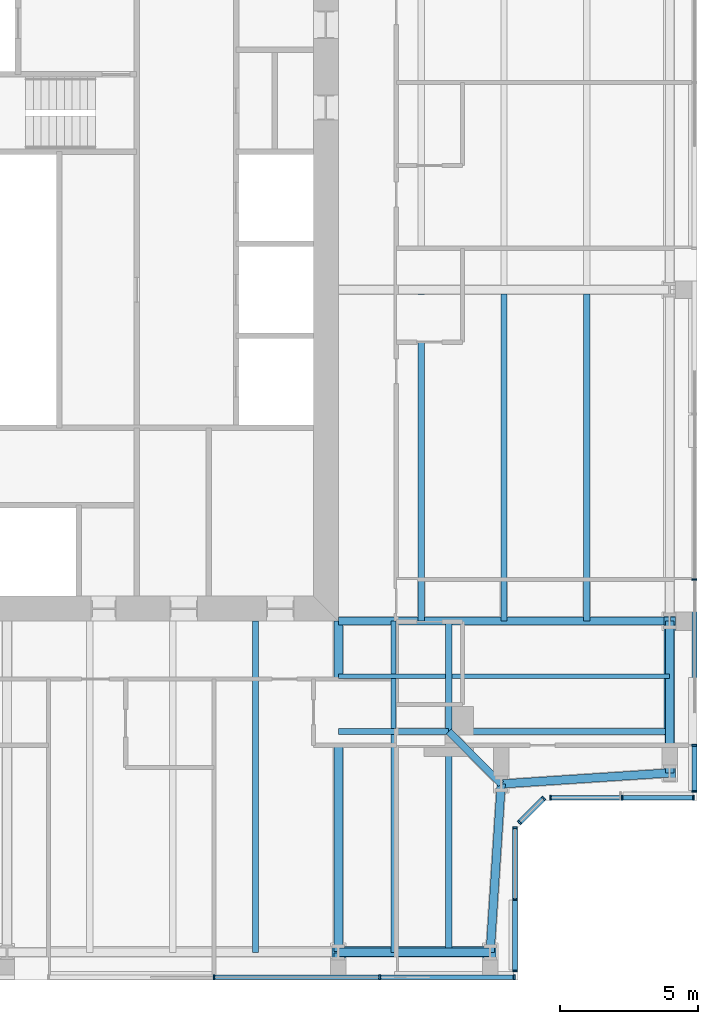
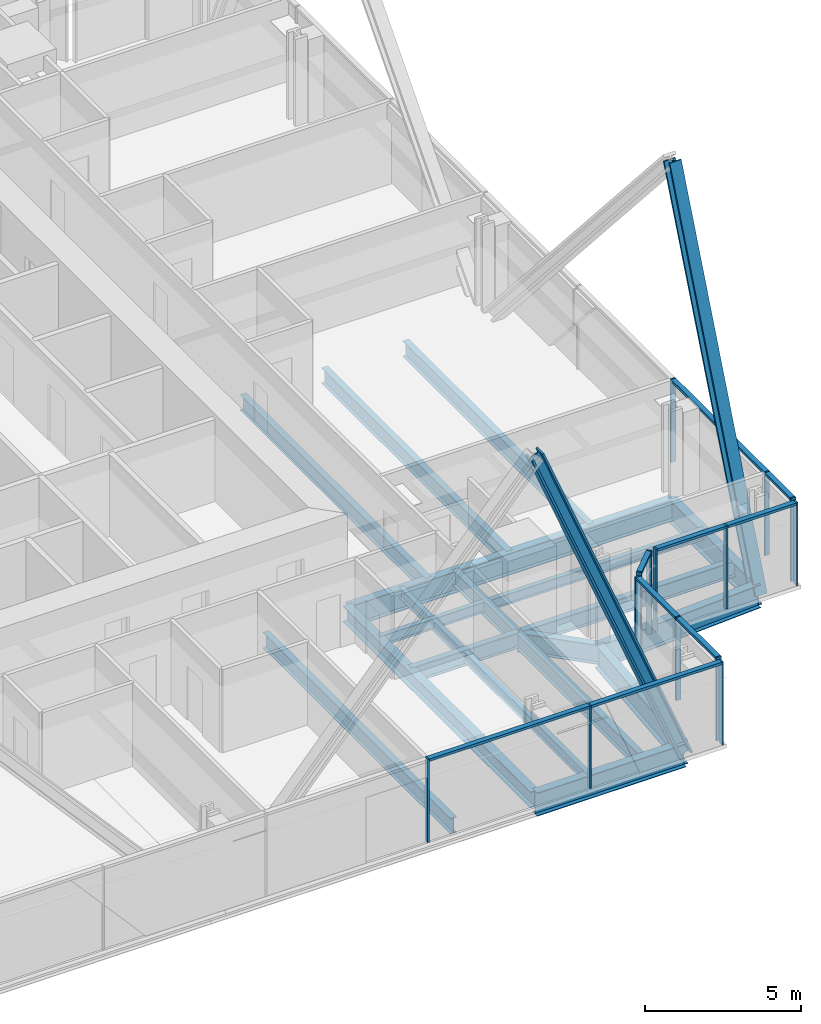
# One storey, part 5 of 20: 25 members, 20 beams, 5 elements without a shape of their own.
"""IFC4 building model written with IfcOpenShell, lengths in metres."""

from ifc_helpers import new_model, si_unit, direction, frame, origin, origin_2d, place, context, subcontext, project, spatial, rectangle, i_section, extrude, material, material_profile, profile_set, type_object, element, aggregate, save


model = new_model("IFC4")

# Units and contexts
model_context = context("Model", 3, precision=1e-05, world=origin(), true_north=direction((0.0, 1.0)))
body_context = subcontext(model_context, "Body", "Model", "MODEL_VIEW")
ifc_project = project(units=[si_unit("LENGTHUNIT", "METRE"), si_unit("AREAUNIT", "SQUARE_METRE"), si_unit("VOLUMEUNIT", "CUBIC_METRE"), si_unit("PLANEANGLEUNIT", "RADIAN"), si_unit("MASSUNIT", "GRAM", prefix="KILO")], contexts=[model_context])

# Site, building, storey
site_placement = place(None, origin())
site = spatial("IfcSite", under=ifc_project, at=site_placement, CompositionType="ELEMENT")
building_placement = place(site_placement, origin())
building = spatial("IfcBuilding", under=site, at=building_placement, Name="Fenwick Lantern Interchange", CompositionType="ELEMENT")
storey_placement = place(building_placement, frame((0.0, 0.0, 256.0)))
storey = spatial("IfcBuildingStorey", under=building, at=storey_placement, Name="L60", CompositionType="ELEMENT", Elevation=256.0)

# Beams
ifc_material_1 = material(Name="Steel ASTM A992 Grade 50", Category="steel")
ifc_material_profile_1 = material_profile(ifc_material_1, i_section(OverallWidth=0.3046875, OverallDepth=0.911865234375, WebThickness=0.015869140625, FlangeThickness=0.02392578125, at=origin_2d()), Name="W36X150")
ifc_profile_set_1 = profile_set([ifc_material_profile_1], Name="Steel ASTM A992 Grade 50")
beam_type_1 = type_object("IfcBeamType", Name="EDGE BEAM W36X150", PredefinedType="SPANDREL", material=ifc_profile_set_1)
beam_1_placement = place(storey_placement, frame((37.0, 1.0, -0.60595703125), z_axis=(1.0, 0.0, 0.0), x_axis=(0.0, 1.0, 0.0)))
element("IfcBeam", 1, at=beam_1_placement, inside=storey, type_object=beam_type_1, Name="L60/FR/S/EB4", PredefinedType="SPANDREL", context=body_context, shape_type="SweptSolid", body=[
    extrude(i_section(OverallWidth=0.3046875, OverallDepth=0.911865234375, WebThickness=0.015869140625, FlangeThickness=0.02392578125, at=origin_2d()), origin(), (0.0, 0.0, 1.0), 5.5),
])
for number, where, z_axis, x_axis, name in (
    (2, (42.5, 1.0, -0.60595703125), (0.065416293237, 0.997858060337, 0.0), (-0.997858060337, 0.065416293237, 0.0), "L60/FR/S/EBR1"),
    (3, (42.89990234375, 7.10009765625, -0.60595703125), (0.997858060337, 0.065416293237, 0.0), (-0.065416293237, 0.997858060337, 0.0), "L60/FR/S/EBR2"),
):
    element("IfcBeam", number, at=place(storey_placement, frame(where, z_axis=z_axis, x_axis=x_axis)), inside=storey, type_object=beam_type_1, Name=name, PredefinedType="SPANDREL", context=body_context, shape_type="SweptSolid", body=[
        extrude(i_section(OverallWidth=0.3046875, OverallDepth=0.911865234375, WebThickness=0.015869140625, FlangeThickness=0.02392578125, at=origin_2d()), origin(), (0.0, 0.0, 1.0), 6.11328125),
    ])
beam_2_placement = place(storey_placement, frame((49.0, 7.5, -0.60595703125), z_axis=(0.0, 1.0, 0.0), x_axis=(-1.0, 0.0, 0.0)))
element("IfcBeam", 4, at=beam_2_placement, inside=storey, type_object=beam_type_1, Name="L60/FR/E/EB1", PredefinedType="SPANDREL", context=body_context, shape_type="SweptSolid", body=[
    extrude(i_section(OverallWidth=0.3046875, OverallDepth=0.911865234375, WebThickness=0.015869140625, FlangeThickness=0.02392578125, at=origin_2d()), origin(), (0.0, 0.0, 1.0), 5.5),
])

# Members
ifc_material_profile_2 = material_profile(ifc_material_1, i_section(OverallWidth=0.424072265625, OverallDepth=0.47509765625, WebThickness=0.0478515625, FlangeThickness=0.0771484375, at=origin_2d()), Name="W14X426")
ifc_profile_set_2 = profile_set([ifc_material_profile_2], Name="Steel ASTM A992 Grade 50")
member_type_1 = type_object("IfcMemberType", Name="FACADE BRACE W14X426", PredefinedType="BRACE", material=ifc_profile_set_2)
for number, where, z_axis, x_axis, name in (
    (5, (42.5, 1.0, -0.60595703125), (-0.374911520251, 0.0, 0.927060597794), (0.0, -1.0, 0.0), "L60/FB/S/BE"),
    (6, (49.0, 7.5, -0.60595703125), (0.0, 0.374911520251, 0.927060597794), (-1.0, 0.0, 0.0), "L60/FB/E/AE"),
):
    element("IfcMember", number, at=place(storey_placement, frame(where, z_axis=z_axis, x_axis=x_axis)), inside=storey, type_object=member_type_1, Name=name, PredefinedType="BRACE", context=body_context, shape_type="SweptSolid", body=[
        extrude(i_section(OverallWidth=0.424072265625, OverallDepth=0.47509765625, WebThickness=0.0478515625, FlangeThickness=0.0771484375, at=origin_2d()), origin(), (0.0, 0.0, 1.0), 14.670166015625),
    ])

# Beams
ifc_material_profile_3 = material_profile(ifc_material_1, i_section(OverallWidth=0.22900390625, OverallDepth=0.612060546875, WebThickness=0.011962890625, FlangeThickness=0.01953125, at=origin_2d()), Name="W24X84")
ifc_profile_set_3 = profile_set([ifc_material_profile_3], Name="Steel ASTM A992 Grade 50")
beam_type_2 = type_object("IfcBeamType", Name="FLOOR BEAM W24X84", PredefinedType="BEAM", material=ifc_profile_set_3)
beam_3_placement = place(storey_placement, frame((34.0, 1.0, -0.4560546875), z_axis=(0.0, 1.0, 0.0), x_axis=(-1.0, 0.0, 0.0)))
element("IfcBeam", 7, at=beam_3_placement, inside=storey, type_object=beam_type_2, Name="L60/FR/S/R08", PredefinedType="BEAM", context=body_context, shape_type="SweptSolid", body=[
    extrude(i_section(OverallWidth=0.22900390625, OverallDepth=0.612060546875, WebThickness=0.011962890625, FlangeThickness=0.01953125, at=origin_2d()), origin(), (0.0, 0.0, 1.0), 12.0),
])
for number, where, z_axis, x_axis, name in (
    (8, (46.0, 13.0, -0.4560546875), (0.0, 1.0, 0.0), (-1.0, 0.0, 0.0), "L60/FR/E/B01"),
    (9, (43.0, 13.0, -0.4560546875), (0.0, 1.0, 0.0), (-1.0, 0.0, 0.0), "L60/FR/E/B02"),
    (10, (40.0, 13.0, -0.4560546875), (0.0, 1.0, 0.0), (-1.0, 0.0, 0.0), "L60/FR/E/B03"),
):
    element("IfcBeam", number, at=place(storey_placement, frame(where, z_axis=z_axis, x_axis=x_axis)), inside=storey, type_object=beam_type_2, Name=name, PredefinedType="BEAM", context=body_context, shape_type="SweptSolid", body=[
        extrude(i_section(OverallWidth=0.22900390625, OverallDepth=0.612060546875, WebThickness=0.011962890625, FlangeThickness=0.01953125, at=origin_2d()), origin(), (0.0, 0.0, 1.0), 11.844970703125),
    ])

# Curtain wall, members
ifc_material_2 = material(Name="Aluminium curtain wall frame", Category="aluminium")
curtain_wall_type = type_object("IfcCurtainWallType", Name="HOTEL CURTAIN WALL", PredefinedType="USERDEFINED", material=ifc_material_2)
curtain_wall_1_placement = place(storey_placement, origin())
curtain_wall_1 = element("IfcCurtainWall", 11, at=curtain_wall_1_placement, inside=storey, type_object=curtain_wall_type, Name="Hotel curtain wall 01", ObjectType="HOTEL CURTAIN WALL", PredefinedType="USERDEFINED")
ifc_material_3 = material(Name="Aluminium extrusion", Category="aluminium")
ifc_material_profile_4 = material_profile(ifc_material_3, rectangle(XDim=0.179931640625, YDim=0.06005859375, at=origin_2d()), Name="HOTEL CURTAIN WALL MULLION 60 X 180")
ifc_profile_set_4 = profile_set([ifc_material_profile_4], Name="Aluminium extrusion")
member_type_2 = type_object("IfcMemberType", Name="HOTEL CURTAIN WALL MULLION 60 X 180", PredefinedType="MULLION", material=ifc_profile_set_4)
member_1_placement = place(storey_placement, frame((32.5, 0.10009765625, 0.0), z_axis=(0.0, 0.0, 1.0), x_axis=(0.0, 1.0, 0.0)))
member_1 = element("IfcMember", 12, at=member_1_placement, type_object=member_type_2, Name="L60/CW/01/M05", PredefinedType="MULLION", context=body_context, shape_type="SweptSolid", body=[
    extrude(rectangle(XDim=0.179931640625, YDim=0.06005859375, at=origin_2d()), origin(), (0.0, 0.0, 1.0), 3.25),
])
member_2_placement = place(storey_placement, frame((38.5, 0.10009765625, 0.0), z_axis=(0.0, 0.0, 1.0), x_axis=(0.0, 1.0, 0.0)))
member_2 = element("IfcMember", 13, at=member_2_placement, type_object=member_type_2, Name="L60/CW/01/M06", PredefinedType="MULLION", context=body_context, shape_type="SweptSolid", body=[
    extrude(rectangle(XDim=0.179931640625, YDim=0.06005859375, at=origin_2d()), origin(), (0.0, 0.0, 1.0), 3.25),
])
member_3_placement = place(storey_placement, frame((43.3701171875, 0.10009765625, 0.0), z_axis=(0.0, 0.0, 1.0), x_axis=(0.0, 1.0, 0.0)))
member_3 = element("IfcMember", 14, at=member_3_placement, type_object=member_type_2, Name="L60/CW/01/M07", PredefinedType="MULLION", context=body_context, shape_type="SweptSolid", body=[
    extrude(rectangle(XDim=0.179931640625, YDim=0.06005859375, at=origin_2d()), origin(), (0.0, 0.0, 1.0), 3.25),
])

curtain_wall_2_placement = place(storey_placement, origin())
curtain_wall_2 = element("IfcCurtainWall", 15, at=curtain_wall_2_placement, inside=storey, type_object=curtain_wall_type, Name="Hotel curtain wall 02", ObjectType="HOTEL CURTAIN WALL", PredefinedType="USERDEFINED")
member_4_placement = place(storey_placement, frame((43.39990234375, 0.330078125, 0.0), z_axis=(0.0, 0.0, 1.0), x_axis=(-1.0, 0.0, 0.0)))
member_4 = element("IfcMember", 16, at=member_4_placement, type_object=member_type_2, Name="L60/CW/02/M00", PredefinedType="MULLION", context=body_context, shape_type="SweptSolid", body=[
    extrude(rectangle(XDim=0.179931640625, YDim=0.06005859375, at=origin_2d()), origin(), (0.0, 0.0, 1.0), 3.25),
])
member_5_placement = place(storey_placement, frame((43.39990234375, 2.920654296875, 0.0), z_axis=(0.0, 0.0, 1.0), x_axis=(-1.0, 0.0, 0.0)))
member_5 = element("IfcMember", 17, at=member_5_placement, type_object=member_type_2, Name="L60/CW/02/M01", PredefinedType="MULLION", context=body_context, shape_type="SweptSolid", body=[
    extrude(rectangle(XDim=0.179931640625, YDim=0.06005859375, at=origin_2d()), origin(), (0.0, 0.0, 1.0), 3.25),
])
member_6_placement = place(storey_placement, frame((43.39990234375, 5.511474609375, 0.0), z_axis=(0.0, 0.0, 1.0), x_axis=(-1.0, 0.0, 0.0)))
member_6 = element("IfcMember", 18, at=member_6_placement, type_object=member_type_2, Name="L60/CW/02/M02", PredefinedType="MULLION", context=body_context, shape_type="SweptSolid", body=[
    extrude(rectangle(XDim=0.179931640625, YDim=0.06005859375, at=origin_2d()), origin(), (0.0, 0.0, 1.0), 3.25),
])

curtain_wall_3_placement = place(storey_placement, origin())
curtain_wall_3 = element("IfcCurtainWall", 19, at=curtain_wall_3_placement, inside=storey, type_object=curtain_wall_type, Name="Hotel curtain wall 03", ObjectType="HOTEL CURTAIN WALL", PredefinedType="USERDEFINED")
member_7_placement = place(storey_placement, frame((43.562744140625, 5.7041015625, 0.0), z_axis=(0.0, 0.0, 1.0), x_axis=(-0.707106781187, 0.707106781187, 0.0)))
member_7 = element("IfcMember", 20, at=member_7_placement, type_object=member_type_2, Name="L60/CW/03/M00", PredefinedType="MULLION", context=body_context, shape_type="SweptSolid", body=[
    extrude(rectangle(XDim=0.179931640625, YDim=0.06005859375, at=origin_2d()), origin(), (0.0, 0.0, 1.0), 3.25),
])
member_8_placement = place(storey_placement, frame((44.437255859375, 6.578857421875, 0.0), z_axis=(0.0, 0.0, 1.0), x_axis=(-0.707106781187, 0.707106781187, 0.0)))
member_8 = element("IfcMember", 21, at=member_8_placement, type_object=member_type_2, Name="L60/CW/03/M01", PredefinedType="MULLION", context=body_context, shape_type="SweptSolid", body=[
    extrude(rectangle(XDim=0.179931640625, YDim=0.06005859375, at=origin_2d()), origin(), (0.0, 0.0, 1.0), 3.25),
])

curtain_wall_4_placement = place(storey_placement, origin())
curtain_wall_4 = element("IfcCurtainWall", 22, at=curtain_wall_4_placement, inside=storey, type_object=curtain_wall_type, Name="Hotel curtain wall 04", ObjectType="HOTEL CURTAIN WALL", PredefinedType="USERDEFINED")
member_9_placement = place(storey_placement, frame((44.6884765625, 6.60009765625, 0.0), z_axis=(0.0, 0.0, 1.0), x_axis=(0.0, 1.0, 0.0)))
member_9 = element("IfcMember", 23, at=member_9_placement, type_object=member_type_2, Name="L60/CW/04/M00", PredefinedType="MULLION", context=body_context, shape_type="SweptSolid", body=[
    extrude(rectangle(XDim=0.179931640625, YDim=0.06005859375, at=origin_2d()), origin(), (0.0, 0.0, 1.0), 3.25),
])
member_10_placement = place(storey_placement, frame((47.279296875, 6.60009765625, 0.0), z_axis=(0.0, 0.0, 1.0), x_axis=(0.0, 1.0, 0.0)))
member_10 = element("IfcMember", 24, at=member_10_placement, type_object=member_type_2, Name="L60/CW/04/M01", PredefinedType="MULLION", context=body_context, shape_type="SweptSolid", body=[
    extrude(rectangle(XDim=0.179931640625, YDim=0.06005859375, at=origin_2d()), origin(), (0.0, 0.0, 1.0), 3.25),
])
member_11_placement = place(storey_placement, frame((49.8701171875, 6.60009765625, 0.0), z_axis=(0.0, 0.0, 1.0), x_axis=(0.0, 1.0, 0.0)))
member_11 = element("IfcMember", 25, at=member_11_placement, type_object=member_type_2, Name="L60/CW/04/M02", PredefinedType="MULLION", context=body_context, shape_type="SweptSolid", body=[
    extrude(rectangle(XDim=0.179931640625, YDim=0.06005859375, at=origin_2d()), origin(), (0.0, 0.0, 1.0), 3.25),
])

curtain_wall_5_placement = place(storey_placement, origin())
curtain_wall_5 = element("IfcCurtainWall", 26, at=curtain_wall_5_placement, inside=storey, type_object=curtain_wall_type, Name="Hotel curtain wall 05", ObjectType="HOTEL CURTAIN WALL", PredefinedType="USERDEFINED")
member_12_placement = place(storey_placement, frame((49.89990234375, 6.830078125, 0.0), z_axis=(0.0, 0.0, 1.0), x_axis=(-1.0, 0.0, 0.0)))
member_12 = element("IfcMember", 27, at=member_12_placement, type_object=member_type_2, Name="L60/CW/05/M00", PredefinedType="MULLION", context=body_context, shape_type="SweptSolid", body=[
    extrude(rectangle(XDim=0.179931640625, YDim=0.06005859375, at=origin_2d()), origin(), (0.0, 0.0, 1.0), 3.25),
])
member_13_placement = place(storey_placement, frame((49.89990234375, 8.5, 0.0), z_axis=(0.0, 0.0, 1.0), x_axis=(-1.0, 0.0, 0.0)))
member_13 = element("IfcMember", 28, at=member_13_placement, type_object=member_type_2, Name="L60/CW/05/M01", PredefinedType="MULLION", context=body_context, shape_type="SweptSolid", body=[
    extrude(rectangle(XDim=0.179931640625, YDim=0.06005859375, at=origin_2d()), origin(), (0.0, 0.0, 1.0), 3.25),
])
member_14_placement = place(storey_placement, frame((49.89990234375, 14.5, 0.0), z_axis=(0.0, 0.0, 1.0), x_axis=(-1.0, 0.0, 0.0)))
member_14 = element("IfcMember", 29, at=member_14_placement, type_object=member_type_2, Name="L60/CW/05/M02", PredefinedType="MULLION", context=body_context, shape_type="SweptSolid", body=[
    extrude(rectangle(XDim=0.179931640625, YDim=0.06005859375, at=origin_2d()), origin(), (0.0, 0.0, 1.0), 3.25),
])

# Member
ifc_material_profile_5 = material_profile(ifc_material_3, rectangle(XDim=0.179931640625, YDim=0.10009765625, at=origin_2d()), Name="HOTEL CURTAIN WALL TRANSOM 100 X 180")
ifc_profile_set_5 = profile_set([ifc_material_profile_5], Name="Aluminium extrusion")
member_type_3 = type_object("IfcMemberType", Name="HOTEL CURTAIN WALL TRANSOM 100 X 180", PredefinedType="MULLION", material=ifc_profile_set_5)
member_15_placement = place(storey_placement, frame((32.530029296875, 0.10009765625, 3.199951171875), z_axis=(1.0, 0.0, 0.0), x_axis=(0.0, 1.0, 0.0)))
member_15 = element("IfcMember", 30, at=member_15_placement, type_object=member_type_3, Name="L60/CW/01/T05", PredefinedType="MULLION", context=body_context, shape_type="SweptSolid", body=[
    extrude(rectangle(XDim=0.179931640625, YDim=0.10009765625, at=origin_2d()), origin(), (0.0, 0.0, 1.0), 5.93994140625),
])

member_16_placement = place(storey_placement, frame((38.530029296875, 0.10009765625, 3.199951171875), z_axis=(1.0, 0.0, 0.0), x_axis=(0.0, 1.0, 0.0)))
member_16 = element("IfcMember", 31, at=member_16_placement, type_object=member_type_3, Name="L60/CW/01/T06", PredefinedType="MULLION", context=body_context, shape_type="SweptSolid", body=[
    extrude(rectangle(XDim=0.179931640625, YDim=0.10009765625, at=origin_2d()), origin(), (0.0, 0.0, 1.0), 4.81005859375),
])

aggregate(curtain_wall_1, [member_1, member_2, member_3, member_15, member_16])

member_17_placement = place(storey_placement, frame((43.39990234375, 0.360107421875, 3.199951171875), z_axis=(0.0, 1.0, 0.0), x_axis=(-1.0, 0.0, 0.0)))
member_17 = element("IfcMember", 32, at=member_17_placement, type_object=member_type_3, Name="L60/CW/02/T00", PredefinedType="MULLION", context=body_context, shape_type="SweptSolid", body=[
    extrude(rectangle(XDim=0.179931640625, YDim=0.10009765625, at=origin_2d()), origin(), (0.0, 0.0, 1.0), 2.530517578125),
])

member_18_placement = place(storey_placement, frame((43.39990234375, 2.95068359375, 3.199951171875), z_axis=(0.0, 1.0, 0.0), x_axis=(-1.0, 0.0, 0.0)))
member_18 = element("IfcMember", 33, at=member_18_placement, type_object=member_type_3, Name="L60/CW/02/T01", PredefinedType="MULLION", context=body_context, shape_type="SweptSolid", body=[
    extrude(rectangle(XDim=0.179931640625, YDim=0.10009765625, at=origin_2d()), origin(), (0.0, 0.0, 1.0), 2.53076171875),
])

aggregate(curtain_wall_2, [member_4, member_5, member_6, member_17, member_18])

member_19_placement = place(storey_placement, frame((43.583740234375, 5.725341796875, 3.199951171875), z_axis=(0.707210470133, 0.707003077033, 0.0), x_axis=(-0.707003077033, 0.707210470133, 0.0)))
member_19 = element("IfcMember", 34, at=member_19_placement, type_object=member_type_3, Name="L60/CW/03/T00", PredefinedType="MULLION", context=body_context, shape_type="SweptSolid", body=[
    extrude(rectangle(XDim=0.179931640625, YDim=0.10009765625, at=origin_2d()), origin(), (0.0, 0.0, 1.0), 1.17724609375),
])

aggregate(curtain_wall_3, [member_7, member_8, member_19])

member_20_placement = place(storey_placement, frame((44.718505859375, 6.60009765625, 3.199951171875), z_axis=(1.0, 0.0, 0.0), x_axis=(0.0, 1.0, 0.0)))
member_20 = element("IfcMember", 35, at=member_20_placement, type_object=member_type_3, Name="L60/CW/04/T00", PredefinedType="MULLION", context=body_context, shape_type="SweptSolid", body=[
    extrude(rectangle(XDim=0.179931640625, YDim=0.10009765625, at=origin_2d()), origin(), (0.0, 0.0, 1.0), 2.53076171875),
])

member_21_placement = place(storey_placement, frame((47.309326171875, 6.60009765625, 3.199951171875), z_axis=(1.0, 0.0, 0.0), x_axis=(0.0, 1.0, 0.0)))
member_21 = element("IfcMember", 36, at=member_21_placement, type_object=member_type_3, Name="L60/CW/04/T01", PredefinedType="MULLION", context=body_context, shape_type="SweptSolid", body=[
    extrude(rectangle(XDim=0.179931640625, YDim=0.10009765625, at=origin_2d()), origin(), (0.0, 0.0, 1.0), 2.53076171875),
])

aggregate(curtain_wall_4, [member_9, member_10, member_11, member_20, member_21])

member_22_placement = place(storey_placement, frame((49.89990234375, 6.860107421875, 3.199951171875), z_axis=(0.0, 1.0, 0.0), x_axis=(-1.0, 0.0, 0.0)))
member_22 = element("IfcMember", 37, at=member_22_placement, type_object=member_type_3, Name="L60/CW/05/T00", PredefinedType="MULLION", context=body_context, shape_type="SweptSolid", body=[
    extrude(rectangle(XDim=0.179931640625, YDim=0.10009765625, at=origin_2d()), origin(), (0.0, 0.0, 1.0), 1.60986328125),
])

member_23_placement = place(storey_placement, frame((49.89990234375, 8.530029296875, 3.199951171875), z_axis=(0.0, 1.0, 0.0), x_axis=(-1.0, 0.0, 0.0)))
member_23 = element("IfcMember", 38, at=member_23_placement, type_object=member_type_3, Name="L60/CW/05/T01", PredefinedType="MULLION", context=body_context, shape_type="SweptSolid", body=[
    extrude(rectangle(XDim=0.179931640625, YDim=0.10009765625, at=origin_2d()), origin(), (0.0, 0.0, 1.0), 5.93994140625),
])

aggregate(curtain_wall_5, [member_12, member_13, member_14, member_22, member_23])

# Beams
ifc_material_profile_6 = material_profile(ifc_material_1, i_section(OverallWidth=0.177734375, OverallDepth=0.406494140625, WebThickness=0.0078125, FlangeThickness=0.012939453125, at=origin_2d()), Name="W16X40")
ifc_profile_set_6 = profile_set([ifc_material_profile_6], Name="Steel ASTM A992 Grade 50")
beam_type_3 = type_object("IfcBeamType", Name="INFILL BEAM W16X40", PredefinedType="JOIST", material=ifc_profile_set_6)
beam_4_placement = place(storey_placement, frame((49.0, 11.0, -0.353271484375), z_axis=(-1.0, 0.0, 0.0), x_axis=(0.0, -1.0, 0.0)))
element("IfcBeam", 39, at=beam_4_placement, inside=storey, type_object=beam_type_3, Name="L60/FR/E/J1", PredefinedType="JOIST", context=body_context, shape_type="SweptSolid", body=[
    extrude(i_section(OverallWidth=0.177734375, OverallDepth=0.406494140625, WebThickness=0.0078125, FlangeThickness=0.012939453125, at=origin_2d()), origin(), (0.0, 0.0, 1.0), 7.885498046875),
])
beam_5_placement = place(storey_placement, frame((40.885498046875, 11.0, -0.353271484375), z_axis=(-1.0, 0.0, 0.0), x_axis=(0.0, -1.0, 0.0)))
element("IfcBeam", 40, at=beam_5_placement, inside=storey, type_object=beam_type_3, Name="L60/FR/E/J2", PredefinedType="JOIST", context=body_context, shape_type="SweptSolid", body=[
    extrude(i_section(OverallWidth=0.177734375, OverallDepth=0.406494140625, WebThickness=0.0078125, FlangeThickness=0.012939453125, at=origin_2d()), origin(), (0.0, 0.0, 1.0), 3.885498046875),
])
beam_6_placement = place(storey_placement, frame((39.0, 1.0, -0.353271484375), z_axis=(0.0, 1.0, 0.0), x_axis=(-1.0, 0.0, 0.0)))
element("IfcBeam", 41, at=beam_6_placement, inside=storey, type_object=beam_type_3, Name="L60/FR/E/J3", PredefinedType="JOIST", context=body_context, shape_type="SweptSolid", body=[
    extrude(i_section(OverallWidth=0.177734375, OverallDepth=0.406494140625, WebThickness=0.0078125, FlangeThickness=0.012939453125, at=origin_2d()), origin(), (0.0, 0.0, 1.0), 7.885498046875),
])
beam_7_placement = place(storey_placement, frame((39.0, 9.114501953125, -0.353271484375), z_axis=(0.0, 1.0, 0.0), x_axis=(-1.0, 0.0, 0.0)))
element("IfcBeam", 42, at=beam_7_placement, inside=storey, type_object=beam_type_3, Name="L60/FR/E/J4", PredefinedType="JOIST", context=body_context, shape_type="SweptSolid", body=[
    extrude(i_section(OverallWidth=0.177734375, OverallDepth=0.406494140625, WebThickness=0.0078125, FlangeThickness=0.012939453125, at=origin_2d()), origin(), (0.0, 0.0, 1.0), 1.796630859375),
])
beam_8_placement = place(storey_placement, frame((39.0, 11.0888671875, -0.353271484375), z_axis=(0.0, 1.0, 0.0), x_axis=(-1.0, 0.0, 0.0)))
element("IfcBeam", 43, at=beam_8_placement, inside=storey, type_object=beam_type_3, Name="L60/FR/E/J5", PredefinedType="JOIST", context=body_context, shape_type="SweptSolid", body=[
    extrude(i_section(OverallWidth=0.177734375, OverallDepth=0.406494140625, WebThickness=0.0078125, FlangeThickness=0.012939453125, at=origin_2d()), origin(), (0.0, 0.0, 1.0), 1.9111328125),
])
ifc_material_profile_7 = material_profile(ifc_material_1, i_section(OverallWidth=0.22900390625, OverallDepth=0.612060546875, WebThickness=0.011962890625, FlangeThickness=0.01953125, at=origin_2d()), Name="W24X84")
ifc_profile_set_7 = profile_set([ifc_material_profile_7], Name="Steel ASTM A992 Grade 50")
beam_type_4 = type_object("IfcBeamType", Name="MEGA COLUMN BEAM W24X84", PredefinedType="BEAM", material=ifc_profile_set_7)
for number, where, z_axis, x_axis, name in (
    (44, (41.0, 9.0, -0.4560546875), (1.0, 0.0, 0.0), (0.0, 1.0, 0.0), "L60/FR/E/MB1"),
    (45, (41.0, 9.0, -0.4560546875), (0.0, -1.0, 0.0), (1.0, 0.0, 0.0), "L60/FR/E/MB2"),
):
    element("IfcBeam", number, at=place(storey_placement, frame(where, z_axis=z_axis, x_axis=x_axis)), inside=storey, type_object=beam_type_4, Name=name, PredefinedType="BEAM", context=body_context, shape_type="SweptSolid", body=[
        extrude(i_section(OverallWidth=0.22900390625, OverallDepth=0.612060546875, WebThickness=0.011962890625, FlangeThickness=0.01953125, at=origin_2d()), origin(), (0.0, 0.0, 1.0), 8.0),
    ])
for number, where, z_axis, x_axis, name in (
    (46, (41.0, 9.0, -0.4560546875), (0.0, 1.0, 0.0), (-1.0, 0.0, 0.0), "L60/FR/E/MB3"),
    (47, (41.0, 9.0, -0.4560546875), (-1.0, 0.0, 0.0), (0.0, -1.0, 0.0), "L60/FR/E/MB4"),
):
    element("IfcBeam", number, at=place(storey_placement, frame(where, z_axis=z_axis, x_axis=x_axis)), inside=storey, type_object=beam_type_4, Name=name, PredefinedType="BEAM", context=body_context, shape_type="SweptSolid", body=[
        extrude(i_section(OverallWidth=0.22900390625, OverallDepth=0.612060546875, WebThickness=0.011962890625, FlangeThickness=0.01953125, at=origin_2d()), origin(), (0.0, 0.0, 1.0), 4.0),
    ])
ifc_material_profile_8 = material_profile(ifc_material_1, i_section(OverallWidth=0.32763671875, OverallDepth=0.622314453125, WebThickness=0.015380859375, FlangeThickness=0.0244140625, at=origin_2d()), Name="W24X131")
ifc_profile_set_8 = profile_set([ifc_material_profile_8], Name="Steel ASTM A992 Grade 50")
beam_type_5 = type_object("IfcBeamType", Name="MOMENT-CONNECTED GIRDER W24X131", PredefinedType="BEAM", material=ifc_profile_set_8)
beam_9_placement = place(storey_placement, frame((37.0, 1.0, -0.461181640625), z_axis=(0.0, 1.0, 0.0), x_axis=(-1.0, 0.0, 0.0)))
element("IfcBeam", 48, at=beam_9_placement, inside=storey, type_object=beam_type_5, Name="L60/FR/S/R09", PredefinedType="BEAM", context=body_context, shape_type="SweptSolid", body=[
    extrude(i_section(OverallWidth=0.32763671875, OverallDepth=0.622314453125, WebThickness=0.015380859375, FlangeThickness=0.0244140625, at=origin_2d()), origin(), (0.0, 0.0, 1.0), 12.0),
])
ifc_material_profile_9 = material_profile(ifc_material_1, i_section(OverallWidth=0.2919921875, OverallDepth=0.845703125, WebThickness=0.015380859375, FlangeThickness=0.0244140625, at=origin_2d()), Name="W33X141")
ifc_profile_set_9 = profile_set([ifc_material_profile_9], Name="Steel ASTM A992 Grade 50")
beam_type_6 = type_object("IfcBeamType", Name="MOMENT-CONNECTED GIRDER W33X141", PredefinedType="BEAM", material=ifc_profile_set_9)
beam_10_placement = place(storey_placement, frame((49.0, 13.0, -0.572998046875), z_axis=(-1.0, 0.0, 0.0), x_axis=(0.0, -1.0, 0.0)))
element("IfcBeam", 49, at=beam_10_placement, inside=storey, type_object=beam_type_6, Name="L60/FR/E/R01", PredefinedType="BEAM", context=body_context, shape_type="SweptSolid", body=[
    extrude(i_section(OverallWidth=0.2919921875, OverallDepth=0.845703125, WebThickness=0.015380859375, FlangeThickness=0.0244140625, at=origin_2d()), origin(), (0.0, 0.0, 1.0), 12.0),
])
ifc_material_profile_10 = material_profile(ifc_material_1, i_section(OverallWidth=0.2666015625, OverallDepth=0.7568359375, WebThickness=0.013916015625, FlangeThickness=0.019287109375, at=origin_2d()), Name="W30X108")
ifc_profile_set_10 = profile_set([ifc_material_profile_10], Name="Steel ASTM A992 Grade 50")
beam_type_7 = type_object("IfcBeamType", Name="NOTCH BEAM W30X108", PredefinedType="BEAM", material=ifc_profile_set_10)
beam_11_placement = place(storey_placement, frame((41.0, 9.0, -0.528564453125), z_axis=(0.707106781187, -0.707106781187, 0.0), x_axis=(0.707106781187, 0.707106781187, 0.0)))
element("IfcBeam", 50, at=beam_11_placement, inside=storey, type_object=beam_type_7, Name="L60/FR/E/TG", PredefinedType="BEAM", context=body_context, shape_type="SweptSolid", body=[
    extrude(i_section(OverallWidth=0.2666015625, OverallDepth=0.7568359375, WebThickness=0.013916015625, FlangeThickness=0.019287109375, at=origin_2d()), origin(), (0.0, 0.0, 1.0), 2.686767578125),
])

save(model, "model.ifc")
